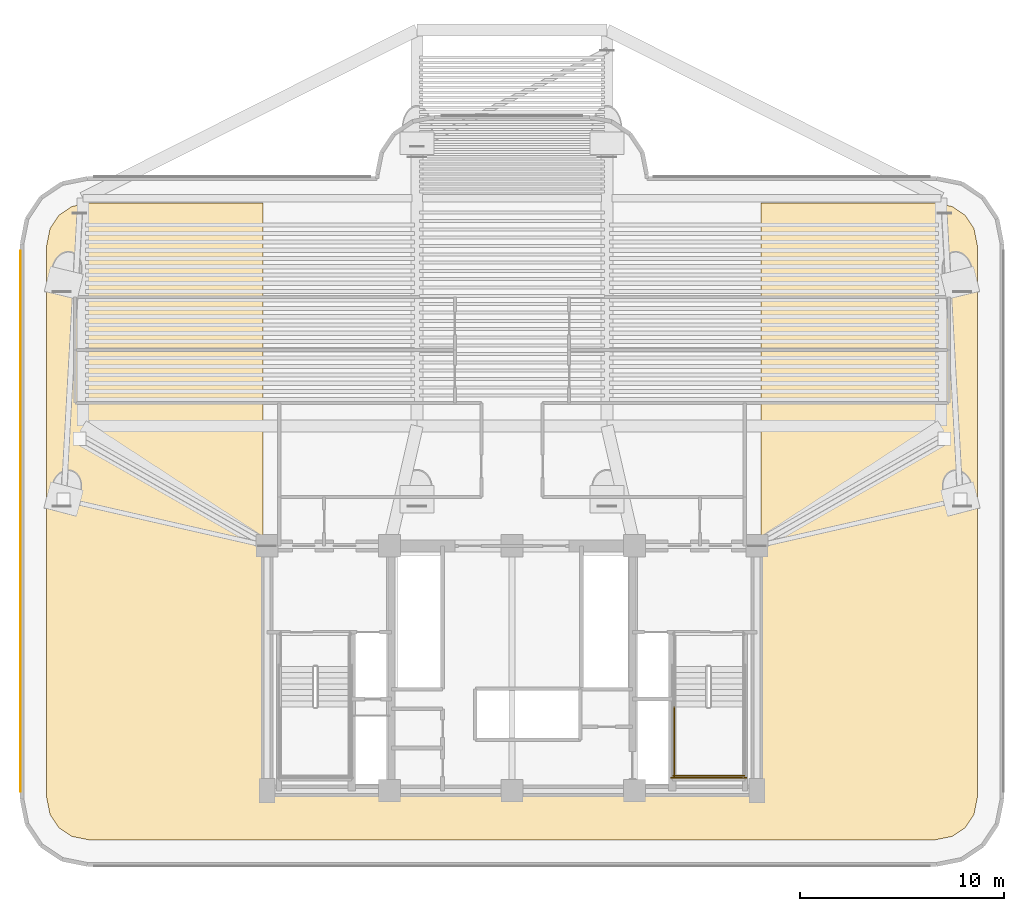
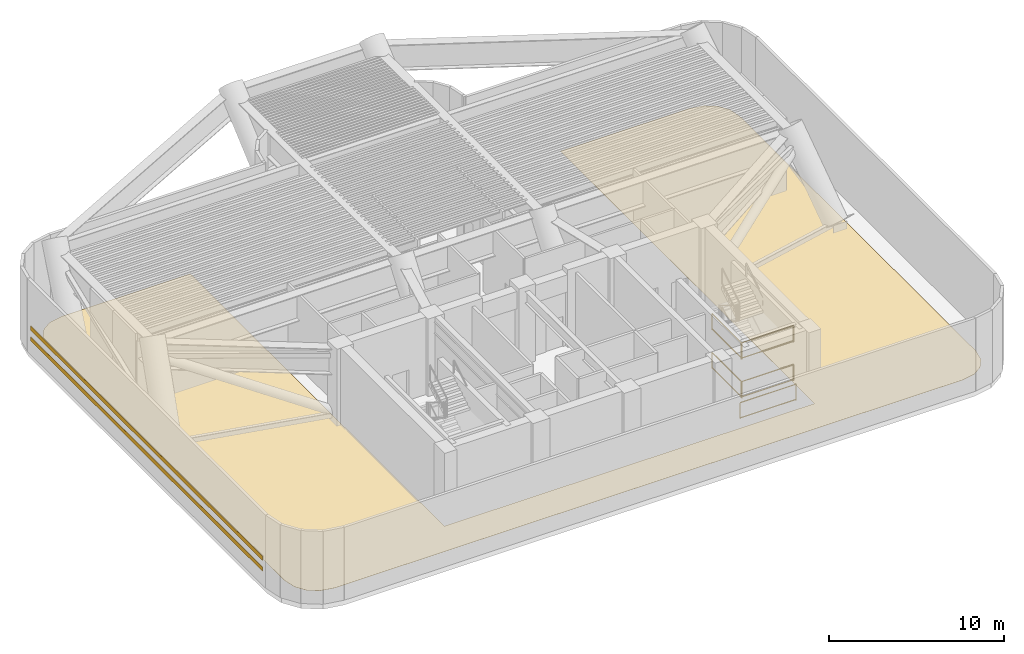
# One storey, part 9 of 11: 5 railings, 2 shading devices, 1 covering.
"""IFC4 building model written with IfcOpenShell, lengths in metres."""

from ifc_helpers import new_model, si_unit, direction, frame, origin, origin_2d, place, context, subcontext, project, spatial, polyline, rectangle, outline, extrude, source, transform, mapped, material, layer, layer_set, material_profile, profile_set, type_object, element, save


model = new_model("IFC4")

# Units and contexts
model_context = context("Model", 3, precision=1e-05, world=origin(), true_north=direction((0.0, 1.0)))
body_context = subcontext(model_context, "Body", "Model", "MODEL_VIEW")
ifc_project = project(units=[si_unit("LENGTHUNIT", "METRE"), si_unit("AREAUNIT", "SQUARE_METRE"), si_unit("VOLUMEUNIT", "CUBIC_METRE"), si_unit("PLANEANGLEUNIT", "RADIAN"), si_unit("MASSUNIT", "GRAM", prefix="KILO")], contexts=[model_context])

# Site, building, storey
site_placement = place(None, origin())
site = spatial("IfcSite", under=ifc_project, at=site_placement, CompositionType="ELEMENT")
building_placement = place(site_placement, origin())
building = spatial("IfcBuilding", under=site, at=building_placement, Name="Brelvock Crest Care Tower", CompositionType="ELEMENT")
storey_placement = place(building_placement, frame((0.0, 0.0, 79.919921875)))
storey = spatial("IfcBuildingStorey", under=building, at=storey_placement, Name="L20", CompositionType="ELEMENT", Elevation=79.919921875)

# Covering
ifc_material_1 = material(Name="Elastomeric Waterproofing Membrane", Category="membrane")
ifc_layer_1 = layer(ifc_material_1, 0.011962890625, Name="COV-RFM1")
ifc_layer_set_1 = layer_set([ifc_layer_1], Name="Elastomeric Waterproofing Membrane")
covering_type = type_object("IfcCoveringType", Name="COV-RFM1", PredefinedType="MEMBRANE", material=ifc_layer_set_1)
covering_placement = place(storey_placement, frame((0.0, 0.0, 0.01611328125)))
element("IfcCovering", 1, at=covering_placement, inside=storey, type_object=covering_type, Name="L20 Waterproofing Membrane 1", PredefinedType="MEMBRANE", context=body_context, shape_type="SweptSolid", body=[
    extrude(outline(polyline([(56.681884765625, 34.800048828125), (48.199951171875, 34.800048828125), (48.199951171875, 5.800048828125), (23.800048828125, 5.800048828125), (23.800048828125, 34.800048828125), (15.318115234375, 34.800048828125), (14.443603515625, 34.6259765625), (13.802490234375, 34.197509765625), (13.3740234375, 33.556396484375), (13.199951171875, 32.681884765625), (13.199951171875, 5.71826171875), (13.3740234375, 4.843505859375), (13.802490234375, 4.202392578125), (14.443603515625, 3.77392578125), (15.318115234375, 3.60009765625), (56.681884765625, 3.60009765625), (57.556396484375, 3.77392578125), (58.197509765625, 4.202392578125), (58.6259765625, 4.843505859375), (58.800048828125, 5.71826171875), (58.800048828125, 32.681884765625), (58.6259765625, 33.556396484375), (58.197509765625, 34.197509765625), (57.556396484375, 34.6259765625), (56.681884765625, 34.800048828125)])), origin(), (0.0, 0.0, 1.0), 0.011962890625),
])

# Railings
ifc_material_2 = material(Name="Steel Grade 350", Category="steel")
ifc_layer_2 = layer(ifc_material_2, 0.050048828125, Name="RL-STG1")
ifc_layer_set_2 = layer_set([ifc_layer_2], Name="Steel Grade 350")
railing_type = type_object("IfcRailingType", Name="RL-STG1", PredefinedType="GUARDRAIL", material=ifc_layer_set_2)
railing_1_placement = place(storey_placement, frame((43.93994140625, 10.1201171875, 1.35009765625)))
element("IfcRailing", 2, at=railing_1_placement, inside=storey, type_object=railing_type, Name="L20 ST-2 stair guard 3", PredefinedType="GUARDRAIL", context=body_context, shape_type="SweptSolid", body=[
    extrude(rectangle(XDim=0.048095703125, YDim=0.048095703125, at=origin_2d()), frame((0.0, -0.001953125, 1.11572265625), z_axis=(0.0, -1.0, 0.0), x_axis=(1.0, 0.0, 0.0)), (0.0, 0.0, 1.0), 3.416259765625),
    extrude(rectangle(XDim=0.048095703125, YDim=0.048095703125, at=origin_2d()), frame((0.0, -0.001953125, 0.054931640625), z_axis=(0.0, -1.0, 0.0), x_axis=(1.0, 0.0, 0.0)), (0.0, 0.0, 1.0), 3.416259765625),
    extrude(rectangle(XDim=0.0419921875, YDim=0.0419921875, at=origin_2d()), origin(), (0.0, 0.0, 1.0), 1.08984375),
    extrude(rectangle(XDim=0.0419921875, YDim=0.0419921875, at=origin_2d()), frame((0.0, -3.420166015625, 0.0)), (0.0, 0.0, 1.0), 1.08984375),
])
railing_2_placement = place(storey_placement, frame((43.889892578125, 6.75, 1.35009765625)))
element("IfcRailing", 3, at=railing_2_placement, inside=storey, type_object=railing_type, Name="L20 ST-2 stair guard 5", PredefinedType="GUARDRAIL", context=body_context, shape_type="SweptSolid", body=[
    extrude(rectangle(XDim=0.048095703125, YDim=0.048095703125, at=origin_2d()), frame((0.001953125, 0.0, 1.11572265625), z_axis=(1.0, 0.0, 0.0), x_axis=(0.0, 1.0, 0.0)), (0.0, 0.0, 1.0), 3.476318359375),
    extrude(rectangle(XDim=0.048095703125, YDim=0.048095703125, at=origin_2d()), frame((0.001953125, 0.0, 0.054931640625), z_axis=(1.0, 0.0, 0.0), x_axis=(0.0, 1.0, 0.0)), (0.0, 0.0, 1.0), 3.476318359375),
    extrude(rectangle(XDim=0.0419921875, YDim=0.0419921875, at=origin_2d()), origin(), (0.0, 0.0, 1.0), 1.08984375),
    extrude(rectangle(XDim=0.0419921875, YDim=0.0419921875, at=origin_2d()), frame((3.480224609375, 0.0, 0.0)), (0.0, 0.0, 1.0), 1.08984375),
])
railing_3_placement = place(storey_placement, frame((43.93994140625, 10.1201171875, 4.050048828125)))
element("IfcRailing", 4, at=railing_3_placement, inside=storey, type_object=railing_type, Name="L20 ST-2 stair guard 12", PredefinedType="GUARDRAIL", context=body_context, shape_type="SweptSolid", body=[
    extrude(rectangle(XDim=0.048095703125, YDim=0.048095703125, at=origin_2d()), frame((0.0, -0.001953125, 1.11572265625), z_axis=(0.0, -1.0, 0.0), x_axis=(1.0, 0.0, 0.0)), (0.0, 0.0, 1.0), 3.416259765625),
    extrude(rectangle(XDim=0.048095703125, YDim=0.048095703125, at=origin_2d()), frame((0.0, -0.001953125, 0.054931640625), z_axis=(0.0, -1.0, 0.0), x_axis=(1.0, 0.0, 0.0)), (0.0, 0.0, 1.0), 3.416259765625),
    extrude(rectangle(XDim=0.0419921875, YDim=0.0419921875, at=origin_2d()), origin(), (0.0, 0.0, 1.0), 1.08984375),
    extrude(rectangle(XDim=0.0419921875, YDim=0.0419921875, at=origin_2d()), frame((0.0, -3.420166015625, 0.0)), (0.0, 0.0, 1.0), 1.08984375),
])
railing_4_placement = place(storey_placement, frame((43.889892578125, 6.75, 4.050048828125)))
element("IfcRailing", 5, at=railing_4_placement, inside=storey, type_object=railing_type, Name="L20 ST-2 stair guard 14", PredefinedType="GUARDRAIL", context=body_context, shape_type="SweptSolid", body=[
    extrude(rectangle(XDim=0.048095703125, YDim=0.048095703125, at=origin_2d()), frame((0.001953125, 0.0, 1.11572265625), z_axis=(1.0, 0.0, 0.0), x_axis=(0.0, 1.0, 0.0)), (0.0, 0.0, 1.0), 3.476318359375),
    extrude(rectangle(XDim=0.048095703125, YDim=0.048095703125, at=origin_2d()), frame((0.001953125, 0.0, 0.054931640625), z_axis=(1.0, 0.0, 0.0), x_axis=(0.0, 1.0, 0.0)), (0.0, 0.0, 1.0), 3.476318359375),
    extrude(rectangle(XDim=0.0419921875, YDim=0.0419921875, at=origin_2d()), origin(), (0.0, 0.0, 1.0), 1.08984375),
    extrude(rectangle(XDim=0.0419921875, YDim=0.0419921875, at=origin_2d()), frame((3.480224609375, 0.0, 0.0)), (0.0, 0.0, 1.0), 1.08984375),
])
railing_5_placement = place(storey_placement, frame((43.7900390625, 6.64990234375, 0.0)))
element("IfcRailing", 6, at=railing_5_placement, inside=storey, type_object=railing_type, Name="L20 ST-2 stair guard 21", PredefinedType="GUARDRAIL", context=body_context, shape_type="SweptSolid", body=[
    extrude(rectangle(XDim=0.048095703125, YDim=0.048095703125, at=origin_2d()), frame((0.001953125, 0.0, 1.11572265625), z_axis=(1.0, 0.0, 0.0), x_axis=(0.0, 1.0, 0.0)), (0.0, 0.0, 1.0), 3.676025390625),
    extrude(rectangle(XDim=0.048095703125, YDim=0.048095703125, at=origin_2d()), frame((0.001953125, 0.0, 0.054931640625), z_axis=(1.0, 0.0, 0.0), x_axis=(0.0, 1.0, 0.0)), (0.0, 0.0, 1.0), 3.676025390625),
    extrude(rectangle(XDim=0.0419921875, YDim=0.0419921875, at=origin_2d()), origin(), (0.0, 0.0, 1.0), 1.08984375),
    extrude(rectangle(XDim=0.0419921875, YDim=0.0419921875, at=origin_2d()), frame((3.679931640625, 0.0, 0.0)), (0.0, 0.0, 1.0), 1.08984375),
])

# Shading devices
ifc_material_3 = material(Name="Aluminium 6063-T6", Category="aluminium")
ifc_material_profile = material_profile(ifc_material_3, rectangle(XDim=0.044921875, YDim=0.300048828125, at=origin_2d()), Name="LOUVRE45x300")
ifc_profile_set = profile_set([ifc_material_profile], Name="Aluminium 6063-T6")
shading_device_type = type_object("IfcShadingDeviceType", Name="SHD-SH1", PredefinedType="SHUTTER", material=ifc_profile_set)
shared_shape = source(origin(), body_context, "Body", "SweptSolid", [
    extrude(rectangle(XDim=0.044921875, YDim=0.300048828125, at=origin_2d()), origin(), (0.0, 0.0, 1.0), 26.5),
])
for number, where, z_axis, x_axis, name in (
    (7, (11.925048828125, 5.949951171875, 1.10009765625), (0.0, 1.0, 0.0), (-1.0, 0.0, 0.0), "L20 Crown Acoustic Louvre 13-1"),
    (8, (11.925048828125, 5.949951171875, 1.85009765625), (0.0, 1.0, 0.0), (-1.0, 0.0, 0.0), "L20 Crown Acoustic Louvre 13-2"),
):
    element("IfcShadingDevice", number, at=place(storey_placement, frame(where, z_axis=z_axis, x_axis=x_axis)), inside=storey, type_object=shading_device_type, Name=name, PredefinedType="SHUTTER", context=body_context, shape_type="MappedRepresentation", body=[
        mapped(shared_shape, transform((0.0, 0.0, 0.0), x_axis=(1.0, 0.0, 0.0), y_axis=(0.0, 1.0, 0.0), z_axis=(0.0, 0.0, 1.0), scale=1.0)),
    ])

save(model, "model.ifc")
